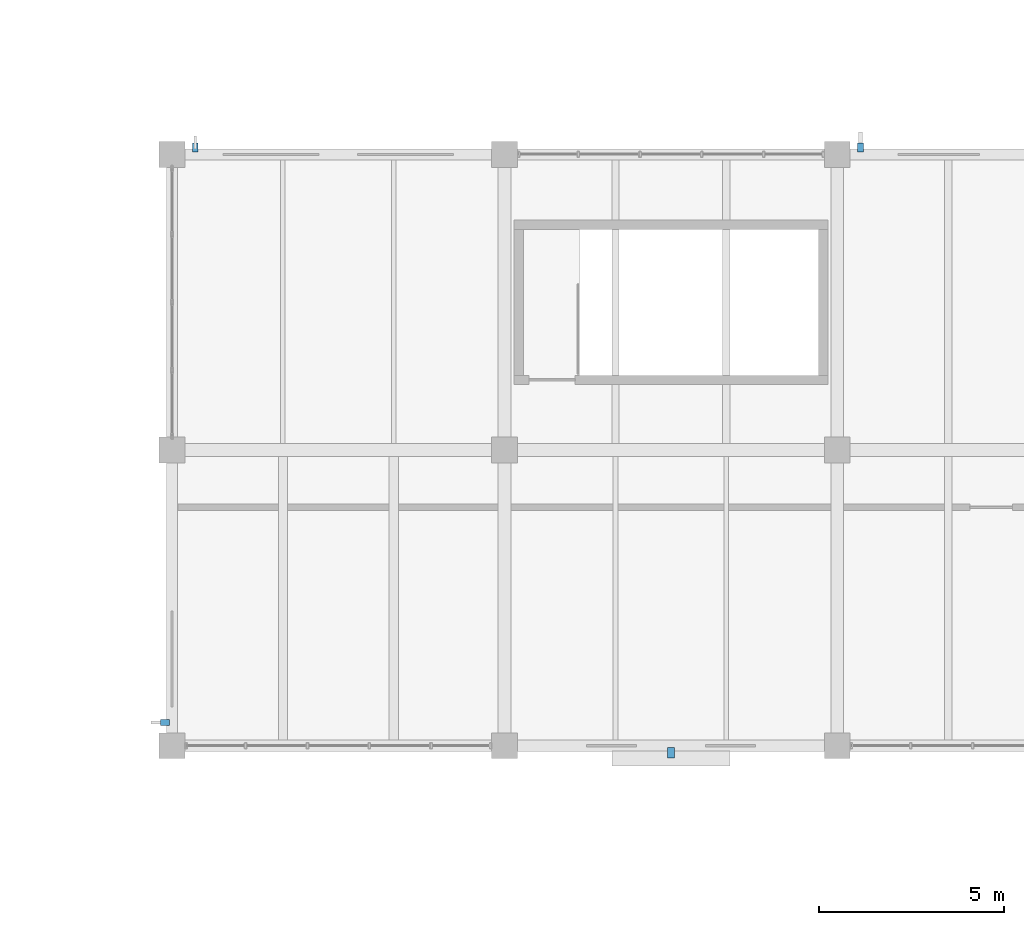
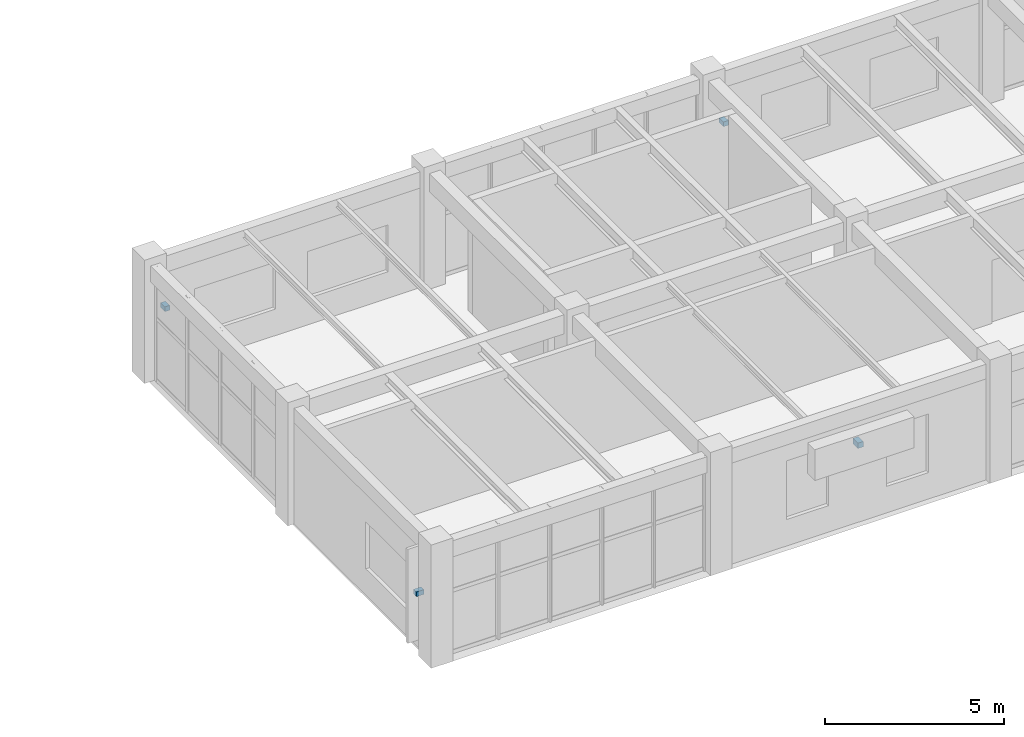
# One storey, part 118 of 128: 4 discrete accessories.
"""IFC4 building model written with IfcOpenShell, lengths in metres."""

from ifc_helpers import new_model, si_unit, derived_unit, direction, frame, origin, origin_2d, place, context, subcontext, project, spatial, rectangle, extrude, material, type_object, element, save


model = new_model("IFC4")

# Units and contexts
model_context = context("Model", 3, precision=1e-05, world=origin(), true_north=direction((0.0, 1.0)))
body_context = subcontext(model_context, "Body", "Model", "MODEL_VIEW")
ifc_project = project(units=[si_unit("LENGTHUNIT", "METRE"), si_unit("AREAUNIT", "SQUARE_METRE"), si_unit("VOLUMEUNIT", "CUBIC_METRE"), si_unit("PLANEANGLEUNIT", "RADIAN"), si_unit("MASSUNIT", "GRAM", prefix="KILO"), derived_unit("THERMALTRANSMITTANCEUNIT", [(si_unit("MASSUNIT", "GRAM", prefix="KILO"), 1), (si_unit("TIMEUNIT", "SECOND"), -3), (si_unit("THERMODYNAMICTEMPERATUREUNIT", "KELVIN"), -1)])], contexts=[model_context])

# Site, building, storey
site_placement = place(None, origin())
site = spatial("IfcSite", under=ifc_project, at=site_placement, CompositionType="ELEMENT")
building_placement = place(site_placement, origin())
building = spatial("IfcBuilding", under=site, at=building_placement, Name="Zhenchuan Archway Interchange", CompositionType="ELEMENT")
storey_placement = place(building_placement, frame((0.0, 0.0, 14.39990234375)))
storey = spatial("IfcBuildingStorey", under=building, at=storey_placement, Name="L03", CompositionType="ELEMENT", Elevation=14.39990234375)

# Discrete accessories
ifc_material = material(Name="Stainless Steel 316", Category="steel")
discrete_accessory_type_1 = type_object("IfcDiscreteAccessoryType", Name="BRK_SHD_1", PredefinedType="BRACKET", material=ifc_material)
for number, where, z_axis, x_axis, name in (
    (1, (107.81005859375, 88.6279296875, 1.88037109375), (0.0, 0.0, 1.0), (0.0, 1.0, 0.0), "Solar fin stainless fixing bracket L03-111"),
    (2, (108.6279296875, 104.18994140625, 1.88037109375), (0.0, 0.0, 1.0), (1.0, 0.0, 0.0), "Solar fin stainless fixing bracket L03-112"),
    (3, (126.6279296875, 104.18994140625, 1.88037109375), (0.0, 0.0, 1.0), (1.0, 0.0, 0.0), "Solar fin stainless fixing bracket L03-113"),
):
    element("IfcDiscreteAccessory", number, at=place(storey_placement, frame(where, z_axis=z_axis, x_axis=x_axis)), inside=storey, type_object=discrete_accessory_type_1, Name=name, PredefinedType="BRACKET", context=body_context, shape_type="SweptSolid", body=[
        extrude(rectangle(XDim=0.159912109375, YDim=0.239990234375, at=origin_2d()), origin(), (0.0, 0.0, 1.0), 0.159912109375),
    ])
discrete_accessory_type_2 = type_object("IfcDiscreteAccessoryType", Name="BRK_SHD_2", PredefinedType="BRACKET", material=ifc_material)
discrete_accessory_placement = place(storey_placement, frame((121.5, 87.81005859375, 2.66015625), z_axis=(0.0, 0.0, 1.0), x_axis=(-1.0, 0.0, 0.0)))
element("IfcDiscreteAccessory", 4, at=discrete_accessory_placement, inside=storey, type_object=discrete_accessory_type_2, Name="Storm-louvre stainless fixing bracket L03-110", PredefinedType="BRACKET", context=body_context, shape_type="SweptSolid", body=[
    extrude(rectangle(XDim=0.179931640625, YDim=0.280029296875, at=origin_2d()), origin(), (0.0, 0.0, 1.0), 0.179931640625),
])

save(model, "model.ifc")
